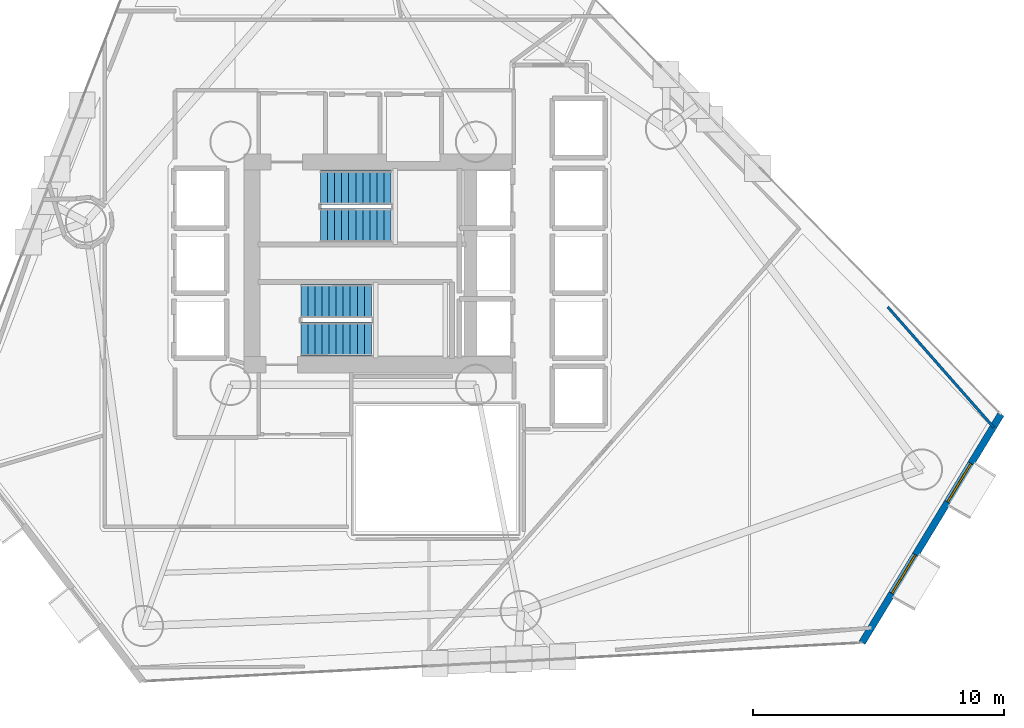
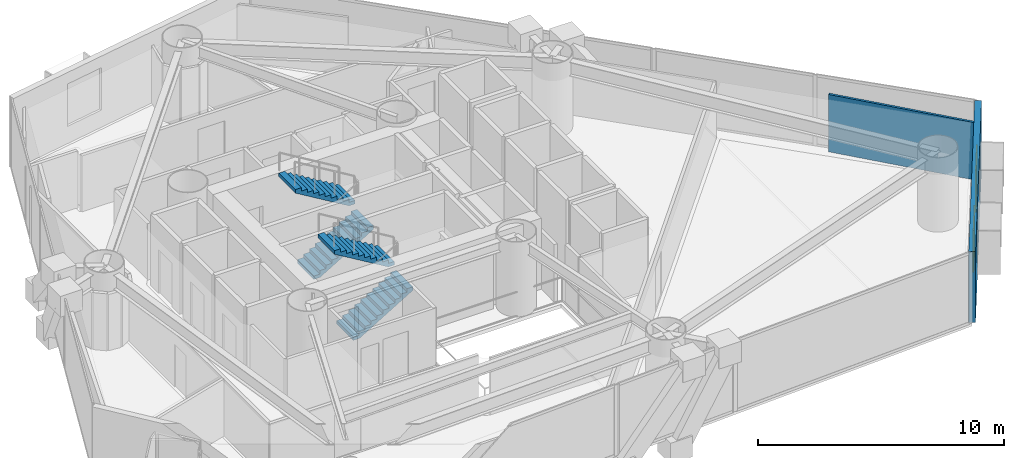
# One storey, part 18 of 23: 4 stair flights, 2 walls, 2 windows, 2 openings, 2 elements without a shape of their own.
"""IFC4 building model written with IfcOpenShell, lengths in metres."""

from ifc_helpers import new_model, si_unit, direction, frame, frame_2d, origin, place, context, subcontext, project, spatial, polyline, rectangle, outline, extrude, material, layer, layer_set, type_object, element, fill, aggregate, save


model = new_model("IFC4")

# Units and contexts
model_context = context("Model", 3, precision=1e-05, world=origin(), true_north=direction((0.0, 1.0)))
body_context = subcontext(model_context, "Body", "Model", "MODEL_VIEW")
ifc_project = project(units=[si_unit("LENGTHUNIT", "METRE"), si_unit("AREAUNIT", "SQUARE_METRE"), si_unit("VOLUMEUNIT", "CUBIC_METRE"), si_unit("PLANEANGLEUNIT", "RADIAN"), si_unit("MASSUNIT", "GRAM", prefix="KILO")], contexts=[model_context])

# Site, building, storey
site_placement = place(None, origin())
site = spatial("IfcSite", under=ifc_project, at=site_placement, CompositionType="ELEMENT")
building_placement = place(site_placement, origin())
building = spatial("IfcBuilding", under=site, at=building_placement, Name="Qianvela Tower", CompositionType="ELEMENT")
storey_placement = place(building_placement, frame((0.0, 0.0, 56.199951171875)))
storey = spatial("IfcBuildingStorey", under=building, at=storey_placement, Name="L13", CompositionType="ELEMENT", Elevation=56.199951171875)

# Wall, openings, windows
ifc_material_1 = material(Name="Terracotta Cladding on Concrete C40", Category="masonry")
ifc_layer_1 = layer(ifc_material_1, 0.280029296875)
ifc_layer_set_1 = layer_set([ifc_layer_1], Name="Terracotta Cladding on Concrete C40")
wall_type_1 = type_object("IfcWallType", Name="TERRACOTTA-WALL-280", PredefinedType="SOLIDWALL", material=ifc_layer_set_1)
wall_1_placement = place(storey_placement, frame((53.809814453125, 13.556396484375, 0.0), z_axis=(0.0, 0.0, 1.0), x_axis=(0.51955578319, 0.854436532549, 0.0)))
wall_1 = element("IfcWall", 1, at=wall_1_placement, inside=storey, type_object=wall_type_1, Name="L13 Terracotta Chamfer Facet Wall 1", PredefinedType="SOLIDWALL", context=body_context, shape_type="SweptSolid", body=[
    extrude(rectangle(XDim=10.673828125, YDim=0.280029296875, at=frame_2d((5.3369140625, 0.0))), origin(), (0.0, 0.0, 1.0), 3.52001953125),
])
opening_1_placement = place(wall_1_placement, frame((2.302001953125, 0.0, 0.85009765625)))
opening_1 = element("IfcOpeningElement", 2, at=opening_1_placement, cuts=wall_1, Name="Opening W-01", PredefinedType="OPENING", context=body_context, shape_type="SweptSolid", body=[
    extrude(rectangle(XDim=1.800048828125, YDim=2.10009765625, at=frame_2d((0.89990234375, 1.050048828125))), frame((0.0, 0.14990234375, 0.0), z_axis=(0.0, -1.0, 0.0), x_axis=(1.0, 0.0, 0.0)), (0.0, 0.0, 1.0), 0.300048828125),
])
opening_2_placement = place(wall_1_placement, frame((6.571533203125, 0.0, 0.85009765625)))
opening_2 = element("IfcOpeningElement", 3, at=opening_2_placement, cuts=wall_1, Name="Opening W-01", PredefinedType="OPENING", context=body_context, shape_type="SweptSolid", body=[
    extrude(rectangle(XDim=1.800048828125, YDim=2.10009765625, at=frame_2d((0.89990234375, 1.050048828125))), frame((0.0, 0.14990234375, 0.0), z_axis=(0.0, -1.0, 0.0), x_axis=(1.0, 0.0, 0.0)), (0.0, 0.0, 1.0), 0.300048828125),
])
ifc_material_2 = material(Name="Thermally Broken Aluminium and Low-E Glass", Category="aluminium")
window_type = type_object("IfcWindowType", Name="WIN-TC-1800x2100", PartitioningType="DOUBLE_PANEL_VERTICAL", PredefinedType="WINDOW", material=ifc_material_2)
window_1_placement = place(opening_1_placement, origin())
window_1 = element("IfcWindow", 4, at=window_1_placement, inside=storey, type_object=window_type, Name="L13 Chamfer Facet Window 1.1", OverallHeight=2.10009765625, OverallWidth=1.800048828125, PartitioningType="SINGLE_PANEL", PredefinedType="WINDOW", context=body_context, shape_type="SweptSolid", body=[
    extrude(rectangle(XDim=1.800048828125, YDim=2.10009765625, at=frame_2d((0.89990234375, 1.050048828125))), frame((0.0, 0.030029296875, 0.0), z_axis=(0.0, -1.0, 0.0), x_axis=(1.0, 0.0, 0.0)), (0.0, 0.0, 1.0), 0.06005859375),
])
fill(opening_1, window_1)
window_2_placement = place(opening_2_placement, origin())
window_2 = element("IfcWindow", 5, at=window_2_placement, inside=storey, type_object=window_type, Name="L13 Chamfer Facet Window 1.2", OverallHeight=2.10009765625, OverallWidth=1.800048828125, PartitioningType="SINGLE_PANEL", PredefinedType="WINDOW", context=body_context, shape_type="SweptSolid", body=[
    extrude(rectangle(XDim=1.800048828125, YDim=2.10009765625, at=frame_2d((0.89990234375, 1.050048828125))), frame((0.0, 0.030029296875, 0.0), z_axis=(0.0, -1.0, 0.0), x_axis=(1.0, 0.0, 0.0)), (0.0, 0.0, 1.0), 0.06005859375),
])
fill(opening_2, window_2)

# Wall
ifc_material_3 = material(Name="Lightweight Gypsum Room Partition")
ifc_layer_2 = layer(ifc_material_3, 0.10498046875)
ifc_layer_set_2 = layer_set([ifc_layer_2], Name="Lightweight Gypsum Room Partition")
wall_type_2 = type_object("IfcWallType", Name="WT-PART-105", PredefinedType="PARTITIONING", material=ifc_layer_set_2)
wall_2_placement = place(storey_placement, frame((54.8349609375, 26.954833984375, 0.0), z_axis=(0.0, 0.0, 1.0), x_axis=(0.6607070608, -0.750643843516, 0.0)))
element("IfcWall", 6, at=wall_2_placement, inside=storey, type_object=wall_type_2, Name="L13 Partition 75 seg 1", PredefinedType="PARTITIONING", context=body_context, shape_type="SweptSolid", body=[
    extrude(rectangle(XDim=6.3955078125, YDim=0.10498046875, at=frame_2d((3.19775390625, 0.0))), origin(), (0.0, 0.0, 1.0), 2.840087890625),
])

# Stair, stair flights
ifc_material_4 = material(Name="Concrete C40", Category="concrete")
stair_type = type_object("IfcStairType", Name="ST-DOGLEG-1350-R168-N22", PredefinedType="HALF_TURN_STAIR", material=ifc_material_4)
stair_1_placement = place(storey_placement, origin())
stair_1 = element("IfcStair", 7, at=stair_1_placement, inside=storey, type_object=stair_type, Name="L13 Smoke-Proof Core Stair ST-1", PredefinedType="HALF_TURN_STAIR")
ifc_material_5 = material(Name="Concrete C40", Category="concrete")
stair_flight_type = type_object("IfcStairFlightType", Name="STF-STRAIGHT-R168-P11", PredefinedType="STRAIGHT", material=ifc_material_5)
stair_flight_1_placement = place(storey_placement, frame((32.199951171875, 30.215087890625, 0.0), z_axis=(0.0, 0.0, 1.0), x_axis=(1.0, 0.0, 0.0)))
stair_flight_1 = element("IfcStairFlight", 8, at=stair_flight_1_placement, type_object=stair_flight_type, Name="ST-1 flight 1", NumberOfRisers=11, NumberOfTreads=10, PredefinedType="STRAIGHT", RiserHeight=0.168181818, TreadLength=0.28, context=body_context, shape_type="SweptSolid", body=[
    extrude(outline(polyline([(0.0, 0.0), (0.0, 0.168212890625), (0.280029296875, 0.168212890625), (0.280029296875, 0.33642578125), (0.56005859375, 0.33642578125), (0.56005859375, 0.504638671875), (0.840087890625, 0.504638671875), (0.840087890625, 0.672607421875), (1.1201171875, 0.672607421875), (1.1201171875, 0.8408203125), (1.39990234375, 0.8408203125), (1.39990234375, 1.009033203125), (1.679931640625, 1.009033203125), (1.679931640625, 1.17724609375), (1.9599609375, 1.17724609375), (1.9599609375, 1.345458984375), (2.239990234375, 1.345458984375), (2.239990234375, 1.513671875), (2.52001953125, 1.513671875), (2.52001953125, 1.681884765625), (2.800048828125, 1.681884765625), (2.800048828125, 1.85009765625), (2.800048828125, 1.5068359375), (0.291015625, 0.0), (0.0, 0.0)])), frame((0.0, 0.675048828125, 0.0), z_axis=(0.0, -1.0, 0.0), x_axis=(1.0, 0.0, 0.0)), (0.0, 0.0, 1.0), 1.35009765625),
])
stair_flight_2_placement = place(storey_placement, frame((35.0, 31.72509765625, 1.85009765625), z_axis=(0.0, 0.0, 1.0), x_axis=(-1.0, 0.0, 0.0)))
stair_flight_2 = element("IfcStairFlight", 9, at=stair_flight_2_placement, type_object=stair_flight_type, Name="ST-1 flight 2", NumberOfRisers=11, NumberOfTreads=10, PredefinedType="STRAIGHT", RiserHeight=0.168181818, TreadLength=0.28, context=body_context, shape_type="SweptSolid", body=[
    extrude(outline(polyline([(0.0, 0.0), (0.0, 0.168212890625), (0.280029296875, 0.168212890625), (0.280029296875, 0.33642578125), (0.56005859375, 0.33642578125), (0.56005859375, 0.504638671875), (0.840087890625, 0.504638671875), (0.840087890625, 0.672607421875), (1.1201171875, 0.672607421875), (1.1201171875, 0.8408203125), (1.39990234375, 0.8408203125), (1.39990234375, 1.009033203125), (1.679931640625, 1.009033203125), (1.679931640625, 1.17724609375), (1.9599609375, 1.17724609375), (1.9599609375, 1.345458984375), (2.239990234375, 1.345458984375), (2.239990234375, 1.513671875), (2.52001953125, 1.513671875), (2.52001953125, 1.681884765625), (2.800048828125, 1.681884765625), (2.800048828125, 1.85009765625), (2.800048828125, 1.5068359375), (0.291015625, 0.0), (0.0, 0.0)])), frame((0.0, 0.675048828125, 0.0), z_axis=(0.0, -1.0, 0.0), x_axis=(1.0, 0.0, 0.0)), (0.0, 0.0, 1.0), 1.35009765625),
])
aggregate(stair_1, [stair_flight_1, stair_flight_2])

stair_2_placement = place(storey_placement, origin())
stair_2 = element("IfcStair", 10, at=stair_2_placement, inside=storey, type_object=stair_type, Name="L13 Smoke-Proof Core Stair ST-2", PredefinedType="HALF_TURN_STAIR")
stair_flight_3_placement = place(storey_placement, frame((31.419921875, 25.675048828125, 0.0), z_axis=(0.0, 0.0, 1.0), x_axis=(1.0, 0.0, 0.0)))
stair_flight_3 = element("IfcStairFlight", 11, at=stair_flight_3_placement, type_object=stair_flight_type, Name="ST-2 flight 1", NumberOfRisers=11, NumberOfTreads=10, PredefinedType="STRAIGHT", RiserHeight=0.168181818, TreadLength=0.28, context=body_context, shape_type="SweptSolid", body=[
    extrude(outline(polyline([(0.0, 0.0), (0.0, 0.168212890625), (0.280029296875, 0.168212890625), (0.280029296875, 0.33642578125), (0.56005859375, 0.33642578125), (0.56005859375, 0.504638671875), (0.840087890625, 0.504638671875), (0.840087890625, 0.672607421875), (1.1201171875, 0.672607421875), (1.1201171875, 0.8408203125), (1.39990234375, 0.8408203125), (1.39990234375, 1.009033203125), (1.679931640625, 1.009033203125), (1.679931640625, 1.17724609375), (1.9599609375, 1.17724609375), (1.9599609375, 1.345458984375), (2.239990234375, 1.345458984375), (2.239990234375, 1.513671875), (2.52001953125, 1.513671875), (2.52001953125, 1.681884765625), (2.800048828125, 1.681884765625), (2.800048828125, 1.85009765625), (2.800048828125, 1.5068359375), (0.291015625, 0.0), (0.0, 0.0)])), frame((0.0, 0.675048828125, 0.0), z_axis=(0.0, -1.0, 0.0), x_axis=(1.0, 0.0, 0.0)), (0.0, 0.0, 1.0), 1.35009765625),
])
stair_flight_4_placement = place(storey_placement, frame((34.219970703125, 27.18505859375, 1.85009765625), z_axis=(0.0, 0.0, 1.0), x_axis=(-1.0, 0.0, 0.0)))
stair_flight_4 = element("IfcStairFlight", 12, at=stair_flight_4_placement, type_object=stair_flight_type, Name="ST-2 flight 2", NumberOfRisers=11, NumberOfTreads=10, PredefinedType="STRAIGHT", RiserHeight=0.168181818, TreadLength=0.28, context=body_context, shape_type="SweptSolid", body=[
    extrude(outline(polyline([(0.0, 0.0), (0.0, 0.168212890625), (0.280029296875, 0.168212890625), (0.280029296875, 0.33642578125), (0.56005859375, 0.33642578125), (0.56005859375, 0.504638671875), (0.840087890625, 0.504638671875), (0.840087890625, 0.672607421875), (1.1201171875, 0.672607421875), (1.1201171875, 0.8408203125), (1.39990234375, 0.8408203125), (1.39990234375, 1.009033203125), (1.679931640625, 1.009033203125), (1.679931640625, 1.17724609375), (1.9599609375, 1.17724609375), (1.9599609375, 1.345458984375), (2.239990234375, 1.345458984375), (2.239990234375, 1.513671875), (2.52001953125, 1.513671875), (2.52001953125, 1.681884765625), (2.800048828125, 1.681884765625), (2.800048828125, 1.85009765625), (2.800048828125, 1.5068359375), (0.291015625, 0.0), (0.0, 0.0)])), frame((0.0, 0.675048828125, 0.0), z_axis=(0.0, -1.0, 0.0), x_axis=(1.0, 0.0, 0.0)), (0.0, 0.0, 1.0), 1.35009765625),
])
aggregate(stair_2, [stair_flight_3, stair_flight_4])

save(model, "model.ifc")
